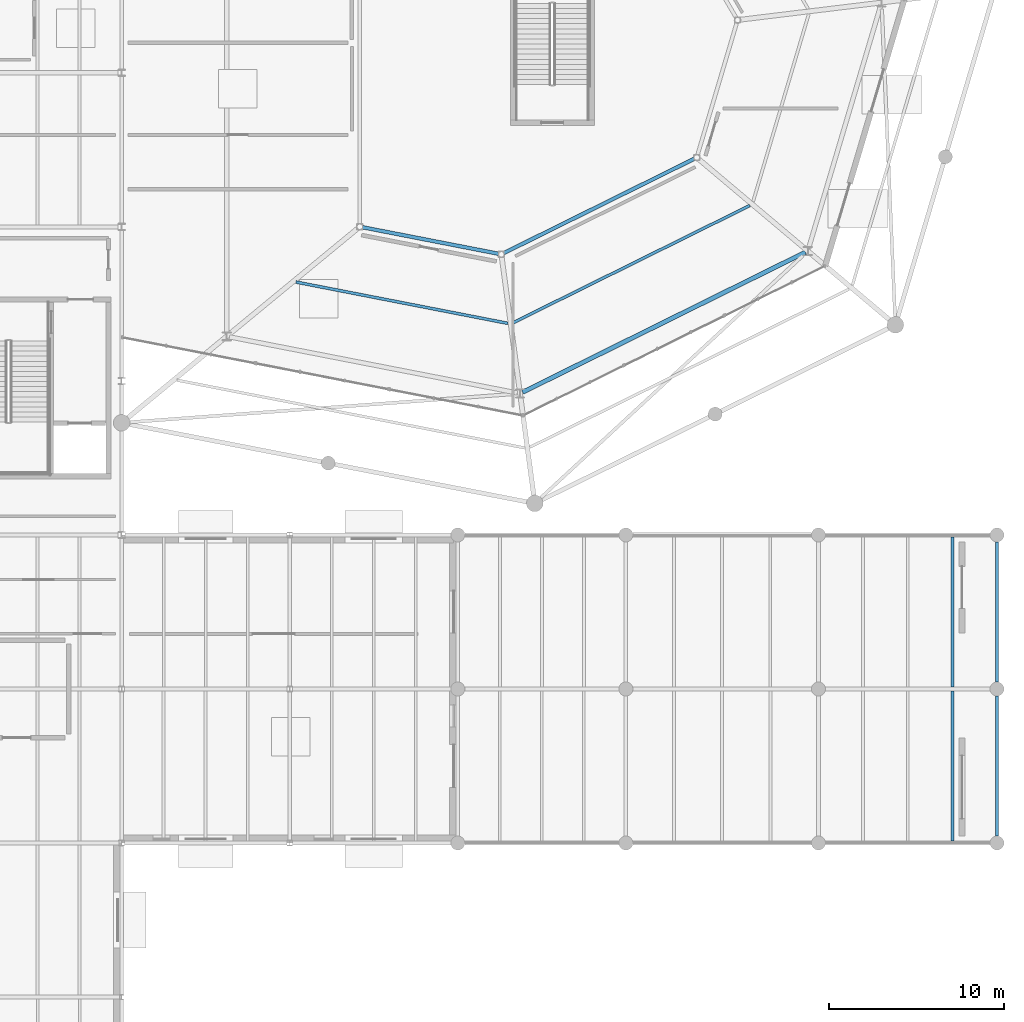
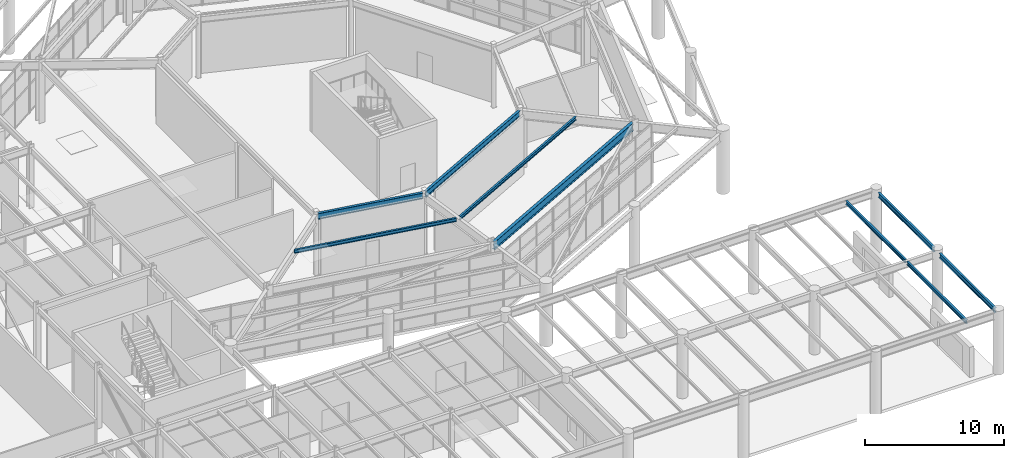
# One storey, part 31 of 70: 9 beams.
"""IFC4 building model written with IfcOpenShell, lengths in metres."""

from ifc_helpers import new_model, si_unit, direction, frame, origin, origin_2d, place, context, subcontext, project, spatial, i_section, extrude, material, material_profile, profile_set, type_object, element, save


model = new_model("IFC4")

# Units and contexts
model_context = context("Model", 3, precision=1e-05, world=origin(), true_north=direction((0.0, 1.0)))
body_context = subcontext(model_context, "Body", "Model", "MODEL_VIEW")
ifc_project = project(units=[si_unit("LENGTHUNIT", "METRE"), si_unit("AREAUNIT", "SQUARE_METRE"), si_unit("VOLUMEUNIT", "CUBIC_METRE"), si_unit("PLANEANGLEUNIT", "RADIAN"), si_unit("MASSUNIT", "GRAM", prefix="KILO")], contexts=[model_context])

# Site, building, storey
site_placement = place(None, origin())
site = spatial("IfcSite", under=ifc_project, at=site_placement, CompositionType="ELEMENT")
building_placement = place(site_placement, origin())
building = spatial("IfcBuilding", under=site, at=building_placement, Name="Sarnbrook Museum", CompositionType="ELEMENT")
storey_placement = place(building_placement, origin())
storey = spatial("IfcBuildingStorey", under=building, at=storey_placement, Name="L00", CompositionType="ELEMENT", Elevation=0.0)

# Beams
ifc_material_1 = material(Name="Structural Steel Grade 300PLUS (AS/NZS 3679.1, fy = 280 MPa for 17 < t <= 40 mm, 300 MPa for t <= 17 mm)", Category="steel")
ifc_material_profile_1 = material_profile(ifc_material_1, i_section(OverallWidth=0.208984375, OverallDepth=0.532958984375, WebThickness=0.01025390625, FlangeThickness=0.015625, FilletRadius=0.013916015625, at=origin_2d()), Name="530UB92.4")
ifc_profile_set_1 = profile_set([ifc_material_profile_1], Name="Structural Steel Grade 300PLUS (AS/NZS 3679.1, fy = 280 MPa for 17 < t <= 40 mm, 300 MPa for t <= 17 mm)")
beam_type_1 = type_object("IfcBeamType", Name="BM-UB530", PredefinedType="BEAM", material=ifc_profile_set_1)
beam_1_placement = place(storey_placement, frame((132.917724609375, 74.382080078125, 5.073486328125), z_axis=(0.981531426605, -0.191300963369, 0.0), x_axis=(0.191300963369, 0.981531426605, 0.0)))
element("IfcBeam", 1, at=beam_1_placement, inside=storey, type_object=beam_type_1, Name="Crystal Hall R2 Ring Girder 1 L00", PredefinedType="BEAM", context=body_context, shape_type="SweptSolid", body=[
    extrude(i_section(OverallWidth=0.208984375, OverallDepth=0.532958984375, WebThickness=0.01025390625, FlangeThickness=0.015625, FilletRadius=0.013916015625, at=origin_2d()), origin(), (0.0, 0.0, 1.0), 7.999267578125),
])
beam_2_placement = place(storey_placement, frame((140.99462890625, 72.882080078125, 5.073486328125), z_axis=(0.896163006555, 0.443724988796, 0.0), x_axis=(-0.443724988796, 0.896163006555, 0.0)))
element("IfcBeam", 2, at=beam_2_placement, inside=storey, type_object=beam_type_1, Name="Crystal Hall R2 Ring Girder 2 L00", PredefinedType="BEAM", context=body_context, shape_type="SweptSolid", body=[
    extrude(i_section(OverallWidth=0.208984375, OverallDepth=0.532958984375, WebThickness=0.01025390625, FlangeThickness=0.015625, FilletRadius=0.013916015625, at=origin_2d()), origin(), (0.0, 0.0, 1.0), 12.216796875),
])
ifc_material_2 = material(Name="Structural Steel Grade 350L0 (AS/NZS 3678, fy = 340 MPa for 20 < t <= 40 mm)", Category="steel")
ifc_material_profile_2 = material_profile(ifc_material_2, i_section(OverallWidth=0.25, OverallDepth=0.699951171875, WebThickness=0.010009765625, FlangeThickness=0.01611328125, at=origin_2d()), Name="700WB130")
ifc_profile_set_2 = profile_set([ifc_material_profile_2], Name="Structural Steel Grade 350L0 (AS/NZS 3678, fy = 340 MPa for 20 < t <= 40 mm)")
beam_type_2 = type_object("IfcBeamType", Name="BM-WB700", PredefinedType="BEAM", material=ifc_profile_set_2)
beam_3_placement = place(storey_placement, frame((142.099609375, 64.948486328125, 4.989990234375), z_axis=(0.8961652972, 0.443720362497, 0.0), x_axis=(-0.443720362497, 0.8961652972, 0.0)))
element("IfcBeam", 3, at=beam_3_placement, inside=storey, type_object=beam_type_2, Name="Crystal Hall R1 Ring Girder 2 L00", PredefinedType="BEAM", context=body_context, shape_type="SweptSolid", body=[
    extrude(i_section(OverallWidth=0.25, OverallDepth=0.699951171875, WebThickness=0.010009765625, FlangeThickness=0.01611328125, at=origin_2d()), origin(), (0.0, 0.0, 1.0), 18.021240234375),
])
ifc_material_profile_3 = material_profile(ifc_material_1, i_section(OverallWidth=0.1650390625, OverallDepth=0.303955078125, WebThickness=0.006103515625, FlangeThickness=0.01025390625, FilletRadius=0.011474609375, at=origin_2d()), Name="310UB40.4")
ifc_profile_set_3 = profile_set([ifc_material_profile_3], Name="Structural Steel Grade 300PLUS (AS/NZS 3679.1, fy = 280 MPa for 17 < t <= 40 mm, 300 MPa for t <= 17 mm)")
beam_type_3 = type_object("IfcBeamType", Name="JS-UB310", PredefinedType="JOIST", material=ifc_profile_set_3)
beam_4_placement = place(storey_placement, frame((166.64990234375, 48.114501953125, 5.218017578125), z_axis=(0.0, 1.0, 0.0), x_axis=(-1.0, 0.0, 0.0)))
element("IfcBeam", 4, at=beam_4_placement, inside=storey, type_object=beam_type_3, Name="Composite Floor Joist 17F-3 L00", PredefinedType="JOIST", context=body_context, shape_type="SweptSolid", body=[
    extrude(i_section(OverallWidth=0.1650390625, OverallDepth=0.303955078125, WebThickness=0.006103515625, FlangeThickness=0.01025390625, FilletRadius=0.011474609375, at=origin_2d()), origin(), (0.0, 0.0, 1.0), 8.571044921875),
])
beam_5_placement = place(storey_placement, frame((129.156982421875, 71.24365234375, 5.18798828125), z_axis=(0.981530313101, -0.191306676475, 0.0), x_axis=(0.191306676475, 0.981530313101, 0.0)))
element("IfcBeam", 5, at=beam_5_placement, inside=storey, type_object=beam_type_3, Name="Crystal Hall Tangential Joist MI-1 L00", PredefinedType="JOIST", context=body_context, shape_type="SweptSolid", body=[
    extrude(i_section(OverallWidth=0.1650390625, OverallDepth=0.303955078125, WebThickness=0.006103515625, FlangeThickness=0.01025390625, FilletRadius=0.011474609375, at=origin_2d()), origin(), (0.0, 0.0, 1.0), 12.33544921875),
])
beam_6_placement = place(storey_placement, frame((141.56494140625, 68.924072265625, 5.18798828125), z_axis=(0.89616253794, 0.443725935227, 0.0), x_axis=(-0.443725935227, 0.89616253794, 0.0)))
element("IfcBeam", 6, at=beam_6_placement, inside=storey, type_object=beam_type_3, Name="Crystal Hall Tangential Joist MI-2 L00", PredefinedType="JOIST", context=body_context, shape_type="SweptSolid", body=[
    extrude(i_section(OverallWidth=0.1650390625, OverallDepth=0.303955078125, WebThickness=0.006103515625, FlangeThickness=0.01025390625, FilletRadius=0.011474609375, at=origin_2d()), origin(), (0.0, 0.0, 1.0), 15.078857421875),
])
ifc_material_profile_4 = material_profile(ifc_material_1, i_section(OverallWidth=0.166015625, OverallDepth=0.306884765625, WebThickness=0.006591796875, FlangeThickness=0.01171875, FilletRadius=0.011474609375, at=origin_2d()), Name="310UB46.2")
ifc_profile_set_4 = profile_set([ifc_material_profile_4], Name="Structural Steel Grade 300PLUS (AS/NZS 3679.1, fy = 280 MPa for 17 < t <= 40 mm, 300 MPa for t <= 17 mm)")
beam_type_4 = type_object("IfcBeamType", Name="JS-UB310H", PredefinedType="JOIST", material=ifc_profile_set_4)
beam_7_placement = place(storey_placement, frame((166.64990234375, 39.314453125, 5.216552734375), z_axis=(0.0, 1.0, 0.0), x_axis=(-1.0, 0.0, 0.0)))
element("IfcBeam", 7, at=beam_7_placement, inside=storey, type_object=beam_type_4, Name="Composite Floor Joist 17E-3 L00", PredefinedType="JOIST", context=body_context, shape_type="SweptSolid", body=[
    extrude(i_section(OverallWidth=0.166015625, OverallDepth=0.306884765625, WebThickness=0.006591796875, FlangeThickness=0.01171875, FilletRadius=0.011474609375, at=origin_2d()), origin(), (0.0, 0.0, 1.0), 8.571044921875),
])
ifc_material_profile_5 = material_profile(ifc_material_1, i_section(OverallWidth=0.177978515625, OverallDepth=0.406005859375, WebThickness=0.0078125, FlangeThickness=0.0126953125, FilletRadius=0.011474609375, at=origin_2d()), Name="410UB59.7")
ifc_profile_set_5 = profile_set([ifc_material_profile_5], Name="Structural Steel Grade 300PLUS (AS/NZS 3679.1, fy = 280 MPa for 17 < t <= 40 mm, 300 MPa for t <= 17 mm)")
beam_type_5 = type_object("IfcBeamType", Name="SP-UB410", PredefinedType="SPANDREL", material=ifc_profile_set_5)
for number, where, z_axis, x_axis, name in (
    (8, (169.199951171875, 39.60009765625, 5.1669921875), (0.0, 1.0, 0.0), (-1.0, 0.0, 0.0), "Girder 18:E-F L00"),
    (9, (169.199951171875, 48.39990234375, 5.1669921875), (0.0, 1.0, 0.0), (-1.0, 0.0, 0.0), "Girder 18:F-G L00"),
):
    element("IfcBeam", number, at=place(storey_placement, frame(where, z_axis=z_axis, x_axis=x_axis)), inside=storey, type_object=beam_type_5, Name=name, PredefinedType="SPANDREL", context=body_context, shape_type="SweptSolid", body=[
        extrude(i_section(OverallWidth=0.177978515625, OverallDepth=0.406005859375, WebThickness=0.0078125, FlangeThickness=0.0126953125, FilletRadius=0.011474609375, at=origin_2d()), origin(), (0.0, 0.0, 1.0), 8.0),
    ])

save(model, "model.ifc")
